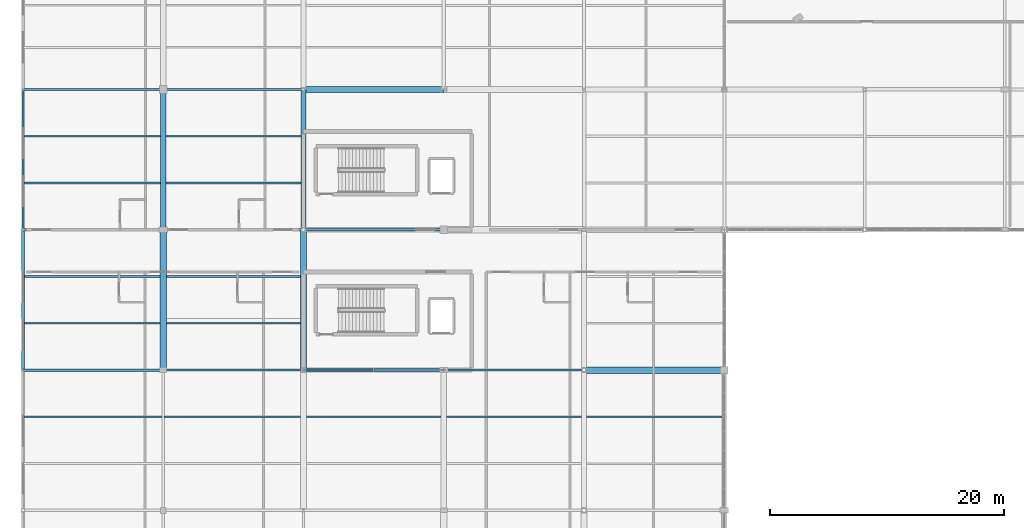
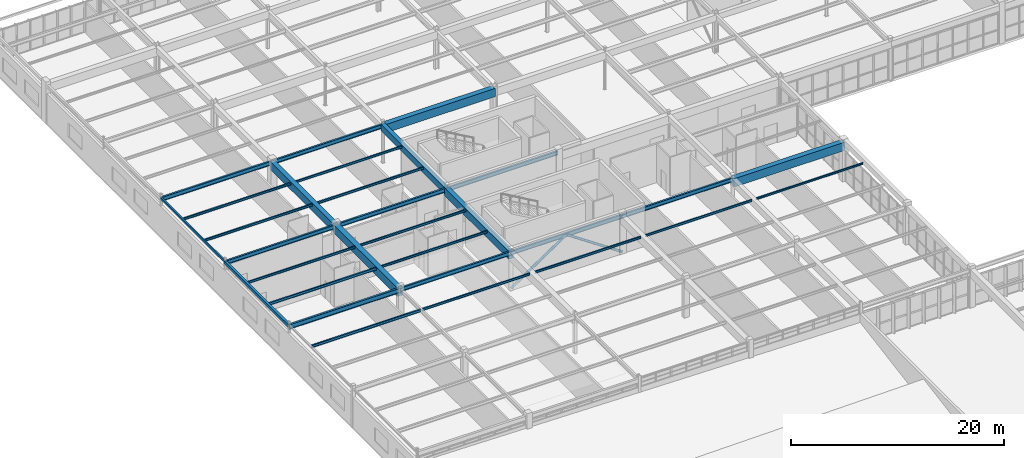
# One storey, part 87 of 226: 30 beams, 2 members.
"""IFC4 building model written with IfcOpenShell, lengths in metres."""

from ifc_helpers import new_model, si_unit, direction, frame, origin, origin_2d, place, context, subcontext, project, spatial, rectangle, hollow_rectangle, hollow_circle, i_section, extrude, material, material_profile, profile_set, type_object, element, save


model = new_model("IFC4")

# Units and contexts
model_context = context("Model", 3, precision=1e-05, world=origin(), true_north=direction((0.0, 1.0)))
body_context = subcontext(model_context, "Body", "Model", "MODEL_VIEW")
ifc_project = project(units=[si_unit("LENGTHUNIT", "METRE"), si_unit("AREAUNIT", "SQUARE_METRE"), si_unit("VOLUMEUNIT", "CUBIC_METRE"), si_unit("PLANEANGLEUNIT", "RADIAN"), si_unit("MASSUNIT", "GRAM", prefix="KILO")], contexts=[model_context])

# Site, building, storey
site_placement = place(None, origin())
site = spatial("IfcSite", under=ifc_project, at=site_placement, CompositionType="ELEMENT")
building_placement = place(site_placement, origin())
building = spatial("IfcBuilding", under=site, at=building_placement, Name="Tarnwether General Hospital", CompositionType="ELEMENT")
storey_placement = place(building_placement, frame((0.0, 0.0, 4.800048828125)))
storey = spatial("IfcBuildingStorey", under=building, at=storey_placement, Name="L01", CompositionType="ELEMENT", Elevation=4.800048828125)

# Beams
ifc_material_1 = material(Name="Steel Grade 350 (350 MPa)", Category="steel")
ifc_material_profile_1 = material_profile(ifc_material_1, i_section(OverallWidth=0.208984375, OverallDepth=0.528076171875, WebThickness=0.009521484375, FlangeThickness=0.01318359375, at=origin_2d()), Name="530UB82.0")
ifc_profile_set_1 = profile_set([ifc_material_profile_1], Name="Steel Grade 350 (350 MPa)")
beam_type_1 = type_object("IfcBeamType", Name="BM-G07", PredefinedType="BEAM", material=ifc_profile_set_1)
beam_1_placement = place(storey_placement, frame((0.0, 69.60009765625, 4.166015625), z_axis=(1.0, 0.0, 0.0), x_axis=(0.0, 1.0, 0.0)))
element("IfcBeam", 1, at=beam_1_placement, inside=storey, type_object=beam_type_1, Name="Primary Girder BMG-L01-0_6960-1200_6960-1049", PredefinedType="BEAM", context=body_context, shape_type="SweptSolid", body=[
    extrude(i_section(OverallWidth=0.208984375, OverallDepth=0.528076171875, WebThickness=0.009521484375, FlangeThickness=0.01318359375, at=origin_2d()), origin(), (0.0, 0.0, 1.0), 12.0),
])
ifc_material_2 = material(Name="Steel Grade 350 (350 MPa)", Category="steel")
ifc_material_profile_2 = material_profile(ifc_material_2, i_section(OverallWidth=0.19091796875, OverallDepth=0.4599609375, WebThickness=0.010009765625, FlangeThickness=0.01611328125, at=origin_2d()), Name="460UB82.1")
ifc_profile_set_2 = profile_set([ifc_material_profile_2], Name="Steel Grade 350 (350 MPa)")
beam_type_2 = type_object("IfcBeamType", Name="BM-G08", PredefinedType="BEAM", material=ifc_profile_set_2)
for number, where, z_axis, x_axis, name in (
    (2, (0.0, 81.60009765625, 4.199951171875), (1.0, 0.0, 0.0), (0.0, 1.0, 0.0), "Primary Girder BMG-L01-0_8160-1200_8160-1051"),
    (3, (12.0, 69.60009765625, 4.199951171875), (1.0, 0.0, 0.0), (0.0, 1.0, 0.0), "Primary Girder BMG-L01-1200_6960-2400_6960-1064"),
):
    element("IfcBeam", number, at=place(storey_placement, frame(where, z_axis=z_axis, x_axis=x_axis)), inside=storey, type_object=beam_type_2, Name=name, PredefinedType="BEAM", context=body_context, shape_type="SweptSolid", body=[
        extrude(i_section(OverallWidth=0.19091796875, OverallDepth=0.4599609375, WebThickness=0.010009765625, FlangeThickness=0.01611328125, at=origin_2d()), origin(), (0.0, 0.0, 1.0), 12.0),
    ])
ifc_material_3 = material(Name="Steel Grade 350 (350 MPa)", Category="steel")
ifc_material_profile_3 = material_profile(ifc_material_3, i_section(OverallWidth=0.18994140625, OverallDepth=0.45703125, WebThickness=0.009033203125, FlangeThickness=0.014404296875, at=origin_2d()), Name="460UB74.6")
ifc_profile_set_3 = profile_set([ifc_material_profile_3], Name="Steel Grade 350 (350 MPa)")
beam_type_3 = type_object("IfcBeamType", Name="BM-G09", PredefinedType="BEAM", material=ifc_profile_set_3)
for number, where, z_axis, x_axis, name in (
    (4, (0.0, 93.60009765625, 4.201416015625), (1.0, 0.0, 0.0), (0.0, 1.0, 0.0), "Primary Girder BMG-L01-0_9360-1200_9360-1053"),
    (5, (12.0, 81.60009765625, 4.201416015625), (1.0, 0.0, 0.0), (0.0, 1.0, 0.0), "Primary Girder BMG-L01-1200_8160-2400_8160-1066"),
    (6, (24.0, 69.60009765625, 4.201416015625), (1.0, 0.0, 0.0), (0.0, 1.0, 0.0), "Primary Girder BMG-L01-2400_6960-3600_6960-1079"),
):
    element("IfcBeam", number, at=place(storey_placement, frame(where, z_axis=z_axis, x_axis=x_axis)), inside=storey, type_object=beam_type_3, Name=name, PredefinedType="BEAM", context=body_context, shape_type="SweptSolid", body=[
        extrude(i_section(OverallWidth=0.18994140625, OverallDepth=0.45703125, WebThickness=0.009033203125, FlangeThickness=0.014404296875, at=origin_2d()), origin(), (0.0, 0.0, 1.0), 12.0),
    ])
ifc_material_4 = material(Name="Steel Grade 350 (350 MPa)", Category="steel")
ifc_material_profile_4 = material_profile(ifc_material_4, i_section(OverallWidth=0.18994140625, OverallDepth=0.4541015625, WebThickness=0.008544921875, FlangeThickness=0.0126953125, at=origin_2d()), Name="460UB67.1")
ifc_profile_set_4 = profile_set([ifc_material_profile_4], Name="Steel Grade 350 (350 MPa)")
beam_type_4 = type_object("IfcBeamType", Name="BM-G10", PredefinedType="BEAM", material=ifc_profile_set_4)
for number, where, z_axis, x_axis, name in (
    (7, (12.0, 93.60009765625, 4.202880859375), (1.0, 0.0, 0.0), (0.0, 1.0, 0.0), "Primary Girder BMG-L01-1200_9360-2400_9360-1068"),
    (8, (24.0, 81.60009765625, 4.202880859375), (1.0, 0.0, 0.0), (0.0, 1.0, 0.0), "Primary Girder BMG-L01-2400_8160-3600_8160-1081"),
    (9, (36.0, 69.60009765625, 4.202880859375), (1.0, 0.0, 0.0), (0.0, 1.0, 0.0), "Primary Girder BMG-L01-3600_6960-4800_6960-1094"),
):
    element("IfcBeam", number, at=place(storey_placement, frame(where, z_axis=z_axis, x_axis=x_axis)), inside=storey, type_object=beam_type_4, Name=name, PredefinedType="BEAM", context=body_context, shape_type="SweptSolid", body=[
        extrude(i_section(OverallWidth=0.18994140625, OverallDepth=0.4541015625, WebThickness=0.008544921875, FlangeThickness=0.0126953125, at=origin_2d()), origin(), (0.0, 0.0, 1.0), 12.0),
    ])
ifc_material_5 = material(Name="Concrete 40 MPa", Category="concrete")
ifc_material_profile_5 = material_profile(ifc_material_5, rectangle(XDim=0.550048828125, YDim=0.949951171875, at=origin_2d()), Name="RC-BM-550x950")
ifc_profile_set_5 = profile_set([ifc_material_profile_5], Name="Concrete 40 MPa")
beam_type_5 = type_object("IfcBeamType", Name="BM-G11", PredefinedType="BEAM", material=ifc_profile_set_5)
for number, where, z_axis, x_axis, name in (
    (10, (12.0, 69.60009765625, 3.954833984375), (0.0, 1.0, 0.0), (-1.0, 0.0, 0.0), "Primary Girder BMG-L01-1200_6960-1200_8160-1065"),
    (11, (24.0, 93.60009765625, 3.954833984375), (1.0, 0.0, 0.0), (0.0, 1.0, 0.0), "Primary Girder BMG-L01-2400_9360-3600_9360-1083"),
    (12, (48.0, 69.60009765625, 3.954833984375), (1.0, 0.0, 0.0), (0.0, 1.0, 0.0), "Primary Girder BMG-L01-4800_6960-6000_6960-1107"),
):
    element("IfcBeam", number, at=place(storey_placement, frame(where, z_axis=z_axis, x_axis=x_axis)), inside=storey, type_object=beam_type_5, Name=name, PredefinedType="BEAM", context=body_context, shape_type="SweptSolid", body=[
        extrude(rectangle(XDim=0.550048828125, YDim=0.949951171875, at=origin_2d()), origin(), (0.0, 0.0, 1.0), 12.0),
    ])
ifc_material_6 = material(Name="Concrete 40 MPa", Category="concrete")
ifc_material_profile_6 = material_profile(ifc_material_6, rectangle(XDim=0.5, YDim=0.89990234375, at=origin_2d()), Name="RC-BM-500x900")
ifc_profile_set_6 = profile_set([ifc_material_profile_6], Name="Concrete 40 MPa")
beam_type_6 = type_object("IfcBeamType", Name="BM-G12", PredefinedType="BEAM", material=ifc_profile_set_6)
for number, where, z_axis, x_axis, name in (
    (13, (12.0, 81.60009765625, 3.97998046875), (0.0, 1.0, 0.0), (-1.0, 0.0, 0.0), "Primary Girder BMG-L01-1200_8160-1200_9360-1067"),
    (14, (24.0, 69.60009765625, 3.97998046875), (0.0, 1.0, 0.0), (-1.0, 0.0, 0.0), "Primary Girder BMG-L01-2400_6960-2400_8160-1080"),
):
    element("IfcBeam", number, at=place(storey_placement, frame(where, z_axis=z_axis, x_axis=x_axis)), inside=storey, type_object=beam_type_6, Name=name, PredefinedType="BEAM", context=body_context, shape_type="SweptSolid", body=[
        extrude(rectangle(XDim=0.5, YDim=0.89990234375, at=origin_2d()), origin(), (0.0, 0.0, 1.0), 12.0),
    ])
ifc_material_7 = material(Name="Concrete 40 MPa", Category="concrete")
ifc_material_profile_7 = material_profile(ifc_material_7, rectangle(XDim=0.449951171875, YDim=0.75, at=origin_2d()), Name="RC-BM-450x750")
ifc_profile_set_7 = profile_set([ifc_material_profile_7], Name="Concrete 40 MPa")
beam_type_7 = type_object("IfcBeamType", Name="BM-G13", PredefinedType="BEAM", material=ifc_profile_set_7)
beam_2_placement = place(storey_placement, frame((24.0, 81.60009765625, 4.054931640625), z_axis=(0.0, 1.0, 0.0), x_axis=(-1.0, 0.0, 0.0)))
element("IfcBeam", 15, at=beam_2_placement, inside=storey, type_object=beam_type_7, Name="Primary Girder BMG-L01-2400_8160-2400_9360-1082", PredefinedType="BEAM", context=body_context, shape_type="SweptSolid", body=[
    extrude(rectangle(XDim=0.449951171875, YDim=0.75, at=origin_2d()), origin(), (0.0, 0.0, 1.0), 12.0),
])
ifc_material_8 = material(Name="Steel Grade 350 (350 MPa)", Category="steel")
ifc_material_profile_8 = material_profile(ifc_material_8, i_section(OverallWidth=0.14892578125, OverallDepth=0.298095703125, WebThickness=0.005615234375, FlangeThickness=0.008056640625, at=origin_2d()), Name="310UB32.0")
ifc_profile_set_8 = profile_set([ifc_material_profile_8], Name="Steel Grade 350 (350 MPa)")
beam_type_8 = type_object("IfcBeamType", Name="BM-J08", PredefinedType="JOIST", material=ifc_profile_set_8)
beam_3_placement = place(storey_placement, frame((0.080078125, 65.60009765625, 4.281005859375), z_axis=(1.0, 0.0, 0.0), x_axis=(0.0, 1.0, 0.0)))
element("IfcBeam", 16, at=beam_3_placement, inside=storey, type_object=beam_type_8, Name="Composite Floor Joist BMG-L01-8_6560-1191_6560-1294", PredefinedType="JOIST", context=body_context, shape_type="SweptSolid", body=[
    extrude(i_section(OverallWidth=0.14892578125, OverallDepth=0.298095703125, WebThickness=0.005615234375, FlangeThickness=0.008056640625, at=origin_2d()), origin(), (0.0, 0.0, 1.0), 11.830810546875),
])
beam_4_placement = place(storey_placement, frame((0.118896484375, 73.60009765625, 4.281005859375), z_axis=(1.0, 0.0, 0.0), x_axis=(0.0, 1.0, 0.0)))
element("IfcBeam", 17, at=beam_4_placement, inside=storey, type_object=beam_type_8, Name="Composite Floor Joist BMG-L01-12_7360-1173_7360-1295", PredefinedType="JOIST", context=body_context, shape_type="SweptSolid", body=[
    extrude(i_section(OverallWidth=0.14892578125, OverallDepth=0.298095703125, WebThickness=0.005615234375, FlangeThickness=0.008056640625, at=origin_2d()), origin(), (0.0, 0.0, 1.0), 11.612060546875),
])
ifc_material_9 = material(Name="Steel Grade 350 (350 MPa)", Category="steel")
ifc_material_profile_9 = material_profile(ifc_material_9, i_section(OverallWidth=0.14599609375, OverallDepth=0.256103515625, WebThickness=0.00634765625, FlangeThickness=0.010986328125, at=origin_2d()), Name="250UB37.3")
ifc_profile_set_9 = profile_set([ifc_material_profile_9], Name="Steel Grade 350 (350 MPa)")
beam_type_9 = type_object("IfcBeamType", Name="BM-J09", PredefinedType="JOIST", material=ifc_profile_set_9)
beam_5_placement = place(storey_placement, frame((0.118896484375, 77.60009765625, 4.302001953125), z_axis=(1.0, 0.0, 0.0), x_axis=(0.0, 1.0, 0.0)))
element("IfcBeam", 18, at=beam_5_placement, inside=storey, type_object=beam_type_9, Name="Composite Floor Joist BMG-L01-12_7760-1173_7760-1296", PredefinedType="JOIST", context=body_context, shape_type="SweptSolid", body=[
    extrude(i_section(OverallWidth=0.14599609375, OverallDepth=0.256103515625, WebThickness=0.00634765625, FlangeThickness=0.010986328125, at=origin_2d()), origin(), (0.0, 0.0, 1.0), 11.612060546875),
])
beam_6_placement = place(storey_placement, frame((0.080078125, 85.60009765625, 4.302001953125), z_axis=(1.0, 0.0, 0.0), x_axis=(0.0, 1.0, 0.0)))
element("IfcBeam", 19, at=beam_6_placement, inside=storey, type_object=beam_type_9, Name="Composite Floor Joist BMG-L01-8_8560-1176_8560-1297", PredefinedType="JOIST", context=body_context, shape_type="SweptSolid", body=[
    extrude(i_section(OverallWidth=0.14599609375, OverallDepth=0.256103515625, WebThickness=0.00634765625, FlangeThickness=0.010986328125, at=origin_2d()), origin(), (0.0, 0.0, 1.0), 11.676025390625),
])
beam_7_placement = place(storey_placement, frame((12.089111328125, 65.60009765625, 4.302001953125), z_axis=(1.0, 0.0, 0.0), x_axis=(0.0, 1.0, 0.0)))
element("IfcBeam", 20, at=beam_7_placement, inside=storey, type_object=beam_type_9, Name="Composite Floor Joist BMG-L01-1209_6560-2373_6560-1308", PredefinedType="JOIST", context=body_context, shape_type="SweptSolid", body=[
    extrude(i_section(OverallWidth=0.14599609375, OverallDepth=0.256103515625, WebThickness=0.00634765625, FlangeThickness=0.010986328125, at=origin_2d()), origin(), (0.0, 0.0, 1.0), 11.641845703125),
])
beam_8_placement = place(storey_placement, frame((12.26904296875, 73.60009765625, 4.302001953125), z_axis=(1.0, 0.0, 0.0), x_axis=(0.0, 1.0, 0.0)))
element("IfcBeam", 21, at=beam_8_placement, inside=storey, type_object=beam_type_9, Name="Composite Floor Joist BMG-L01-1227_7360-2376_7360-1309", PredefinedType="JOIST", context=body_context, shape_type="SweptSolid", body=[
    extrude(i_section(OverallWidth=0.14599609375, OverallDepth=0.256103515625, WebThickness=0.00634765625, FlangeThickness=0.010986328125, at=origin_2d()), origin(), (0.0, 0.0, 1.0), 11.487060546875),
])
ifc_material_10 = material(Name="Steel Grade 350 (350 MPa)", Category="steel")
ifc_material_profile_10 = material_profile(ifc_material_10, i_section(OverallWidth=0.14599609375, OverallDepth=0.251953125, WebThickness=0.006103515625, FlangeThickness=0.008544921875, at=origin_2d()), Name="250UB31.4")
ifc_profile_set_10 = profile_set([ifc_material_profile_10], Name="Steel Grade 350 (350 MPa)")
beam_type_10 = type_object("IfcBeamType", Name="BM-J10", PredefinedType="JOIST", material=ifc_profile_set_10)
beam_9_placement = place(storey_placement, frame((0.080078125, 89.60009765625, 4.303955078125), z_axis=(1.0, 0.0, 0.0), x_axis=(0.0, 1.0, 0.0)))
element("IfcBeam", 22, at=beam_9_placement, inside=storey, type_object=beam_type_10, Name="Composite Floor Joist BMG-L01-8_8960-1176_8960-1298", PredefinedType="JOIST", context=body_context, shape_type="SweptSolid", body=[
    extrude(i_section(OverallWidth=0.14599609375, OverallDepth=0.251953125, WebThickness=0.006103515625, FlangeThickness=0.008544921875, at=origin_2d()), origin(), (0.0, 0.0, 1.0), 11.676025390625),
])
beam_10_placement = place(storey_placement, frame((12.26904296875, 77.60009765625, 4.303955078125), z_axis=(1.0, 0.0, 0.0), x_axis=(0.0, 1.0, 0.0)))
element("IfcBeam", 23, at=beam_10_placement, inside=storey, type_object=beam_type_10, Name="Composite Floor Joist BMG-L01-1227_7760-2376_7760-1310", PredefinedType="JOIST", context=body_context, shape_type="SweptSolid", body=[
    extrude(i_section(OverallWidth=0.14599609375, OverallDepth=0.251953125, WebThickness=0.006103515625, FlangeThickness=0.008544921875, at=origin_2d()), origin(), (0.0, 0.0, 1.0), 11.487060546875),
])
beam_11_placement = place(storey_placement, frame((12.243896484375, 85.60009765625, 4.303955078125), z_axis=(1.0, 0.0, 0.0), x_axis=(0.0, 1.0, 0.0)))
element("IfcBeam", 24, at=beam_11_placement, inside=storey, type_object=beam_type_10, Name="Composite Floor Joist BMG-L01-1224_8560-2378_8560-1311", PredefinedType="JOIST", context=body_context, shape_type="SweptSolid", body=[
    extrude(i_section(OverallWidth=0.14599609375, OverallDepth=0.251953125, WebThickness=0.006103515625, FlangeThickness=0.008544921875, at=origin_2d()), origin(), (0.0, 0.0, 1.0), 11.537109375),
])
beam_12_placement = place(storey_placement, frame((24.26904296875, 65.60009765625, 4.303955078125), z_axis=(1.0, 0.0, 0.0), x_axis=(0.0, 1.0, 0.0)))
element("IfcBeam", 25, at=beam_12_placement, inside=storey, type_object=beam_type_10, Name="Composite Floor Joist BMG-L01-2427_6560-3576_6560-1322", PredefinedType="JOIST", context=body_context, shape_type="SweptSolid", body=[
    extrude(i_section(OverallWidth=0.14599609375, OverallDepth=0.251953125, WebThickness=0.006103515625, FlangeThickness=0.008544921875, at=origin_2d()), origin(), (0.0, 0.0, 1.0), 11.487060546875),
])
ifc_material_11 = material(Name="Steel Grade 350 (350 MPa)", Category="steel")
ifc_material_profile_11 = material_profile(ifc_material_11, i_section(OverallWidth=0.1240234375, OverallDepth=0.248046875, WebThickness=0.0048828125, FlangeThickness=0.008056640625, at=origin_2d()), Name="250UB25.7")
ifc_profile_set_11 = profile_set([ifc_material_profile_11], Name="Steel Grade 350 (350 MPa)")
beam_type_11 = type_object("IfcBeamType", Name="BM-J11", PredefinedType="JOIST", material=ifc_profile_set_11)
for number, where, z_axis, x_axis, name in (
    (26, (12.243896484375, 89.60009765625, 4.305908203125), (1.0, 0.0, 0.0), (0.0, 1.0, 0.0), "Composite Floor Joist BMG-L01-1224_8960-2378_8960-1312"),
    (27, (36.243896484375, 65.60009765625, 4.305908203125), (1.0, 0.0, 0.0), (0.0, 1.0, 0.0), "Composite Floor Joist BMG-L01-3624_6560-4778_6560-1332"),
):
    element("IfcBeam", number, at=place(storey_placement, frame(where, z_axis=z_axis, x_axis=x_axis)), inside=storey, type_object=beam_type_11, Name=name, PredefinedType="JOIST", context=body_context, shape_type="SweptSolid", body=[
        extrude(i_section(OverallWidth=0.1240234375, OverallDepth=0.248046875, WebThickness=0.0048828125, FlangeThickness=0.008056640625, at=origin_2d()), origin(), (0.0, 0.0, 1.0), 11.537109375),
    ])
ifc_material_12 = material(Name="Steel Grade 350 (350 MPa)", Category="steel")
ifc_material_profile_12 = material_profile(ifc_material_12, i_section(OverallWidth=0.134033203125, OverallDepth=0.20703125, WebThickness=0.00634765625, FlangeThickness=0.009521484375, at=origin_2d()), Name="200UB29.8")
ifc_profile_set_12 = profile_set([ifc_material_profile_12], Name="Steel Grade 350 (350 MPa)")
beam_type_12 = type_object("IfcBeamType", Name="BM-J12", PredefinedType="JOIST", material=ifc_profile_set_12)
beam_13_placement = place(storey_placement, frame((48.218994140625, 65.60009765625, 4.326416015625), z_axis=(1.0, 0.0, 0.0), x_axis=(0.0, 1.0, 0.0)))
element("IfcBeam", 28, at=beam_13_placement, inside=storey, type_object=beam_type_12, Name="Composite Floor Joist BMG-L01-4822_6560-5981_6560-1342", PredefinedType="JOIST", context=body_context, shape_type="SweptSolid", body=[
    extrude(i_section(OverallWidth=0.134033203125, OverallDepth=0.20703125, WebThickness=0.00634765625, FlangeThickness=0.009521484375, at=origin_2d()), origin(), (0.0, 0.0, 1.0), 11.5869140625),
])
ifc_material_13 = material(Name="Steel Grade C350L0 (350 MPa)", Category="steel")
ifc_material_profile_13 = material_profile(ifc_material_13, hollow_rectangle(XDim=0.25, YDim=0.35009765625, WallThickness=0.012451171875, at=origin_2d()), Name="RHS350x250x12.5")
ifc_profile_set_13 = profile_set([ifc_material_profile_13], Name="Steel Grade C350L0 (350 MPa)")
beam_type_13 = type_object("IfcBeamType", Name="BM-SP7", PredefinedType="SPANDREL", material=ifc_profile_set_13)
beam_14_placement = place(storey_placement, frame((0.0, 69.60009765625, 4.2548828125), z_axis=(0.0, 1.0, 0.0), x_axis=(-1.0, 0.0, 0.0)))
element("IfcBeam", 29, at=beam_14_placement, inside=storey, type_object=beam_type_13, Name="Primary Girder BMG-L01-0_6960-0_8160-1050", PredefinedType="SPANDREL", context=body_context, shape_type="SweptSolid", body=[
    extrude(hollow_rectangle(XDim=0.25, YDim=0.35009765625, WallThickness=0.012451171875, at=origin_2d()), origin(), (0.0, 0.0, 1.0), 12.0),
])
ifc_material_14 = material(Name="Steel Grade C350L0 (350 MPa)", Category="steel")
ifc_material_profile_14 = material_profile(ifc_material_14, hollow_rectangle(XDim=0.14990234375, YDim=0.25, WallThickness=0.008056640625, at=origin_2d()), Name="RHS250x150x8")
ifc_profile_set_14 = profile_set([ifc_material_profile_14], Name="Steel Grade C350L0 (350 MPa)")
beam_type_14 = type_object("IfcBeamType", Name="BM-SP8", PredefinedType="SPANDREL", material=ifc_profile_set_14)
beam_15_placement = place(storey_placement, frame((0.0, 81.60009765625, 4.304931640625), z_axis=(0.0, 1.0, 0.0), x_axis=(-1.0, 0.0, 0.0)))
element("IfcBeam", 30, at=beam_15_placement, inside=storey, type_object=beam_type_14, Name="Primary Girder BMG-L01-0_8160-0_9360-1052", PredefinedType="SPANDREL", context=body_context, shape_type="SweptSolid", body=[
    extrude(hollow_rectangle(XDim=0.14990234375, YDim=0.25, WallThickness=0.008056640625, at=origin_2d()), origin(), (0.0, 0.0, 1.0), 12.0),
])

# Members
ifc_material_15 = material(Name="Steel Grade C350L0 (350 MPa)", Category="steel")
ifc_material_profile_15 = material_profile(ifc_material_15, hollow_circle(Radius=0.136474609375, WallThickness=0.0126953125, at=origin_2d()), Name="CHS273.1x12.7")
ifc_profile_set_15 = profile_set([ifc_material_profile_15], Name="Steel Grade C350L0 (350 MPa)")
member_type = type_object("IfcMemberType", Name="MB-BR2", PredefinedType="BRACE", material=ifc_profile_set_15)
for number, where, z_axis, x_axis, name in (
    (31, (24.0, 69.60009765625, 0.139892578125), (0.828845546207, 0.0, 0.559477488852), (0.0, 1.0, 0.0), "Braced Frame Diagonal 015"),
    (32, (36.0, 69.60009765625, 0.139892578125), (-0.828845546207, 0.0, 0.559477488852), (0.0, -1.0, 0.0), "Braced Frame Diagonal 016"),
):
    element("IfcMember", number, at=place(storey_placement, frame(where, z_axis=z_axis, x_axis=x_axis)), inside=storey, type_object=member_type, Name=name, PredefinedType="BRACE", context=body_context, shape_type="SweptSolid", body=[
        extrude(hollow_circle(Radius=0.136474609375, WallThickness=0.0126953125, at=origin_2d()), origin(), (0.0, 0.0, 1.0), 7.239013671875),
    ])

save(model, "model.ifc")
